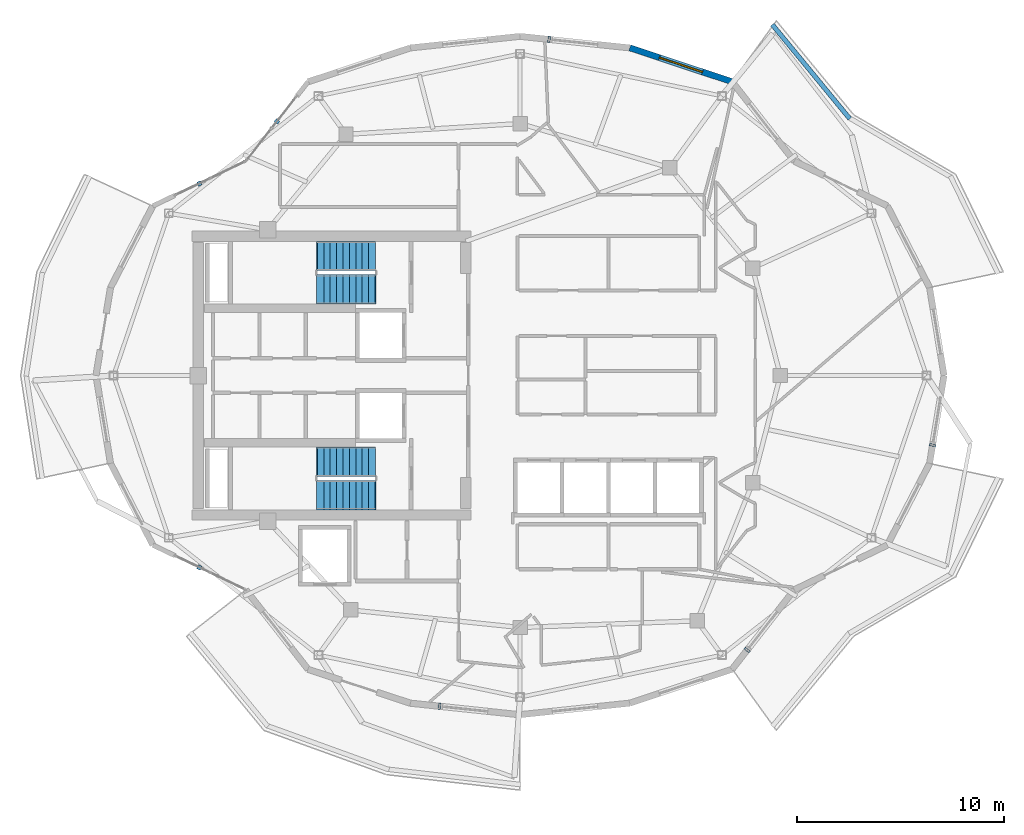
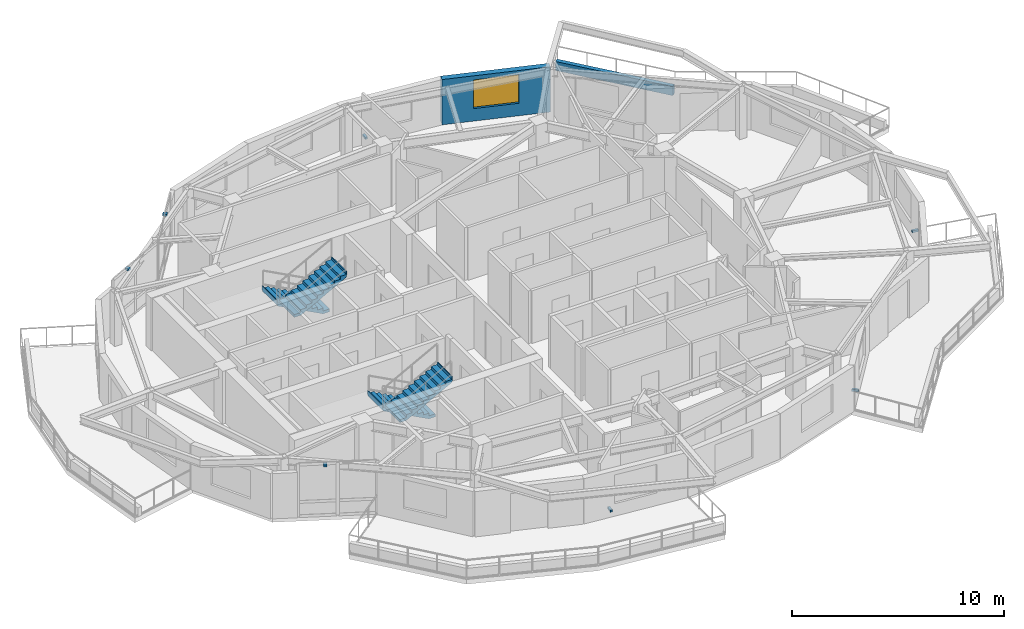
# One storey, part 12 of 14: 7 discrete accessories, 4 stair flights, 2 walls, 1 window, 1 opening, 2 elements without a shape of their own.
"""IFC4 building model written with IfcOpenShell, lengths in metres."""

from ifc_helpers import new_model, si_unit, direction, frame, frame_2d, origin, origin_2d, place, context, subcontext, project, spatial, polyline, rectangle, outline, extrude, material, layer, layer_set, type_object, element, fill, aggregate, save


model = new_model("IFC4")

# Units and contexts
model_context = context("Model", 3, precision=1e-05, world=origin(), true_north=direction((0.0, 1.0)))
body_context = subcontext(model_context, "Body", "Model", "MODEL_VIEW")
ifc_project = project(units=[si_unit("LENGTHUNIT", "METRE"), si_unit("AREAUNIT", "SQUARE_METRE"), si_unit("VOLUMEUNIT", "CUBIC_METRE"), si_unit("PLANEANGLEUNIT", "RADIAN"), si_unit("MASSUNIT", "GRAM", prefix="KILO")], contexts=[model_context])

# Site, building, storey
site_placement = place(None, origin())
site = spatial("IfcSite", under=ifc_project, at=site_placement, CompositionType="ELEMENT")
building_placement = place(site_placement, origin())
building = spatial("IfcBuilding", under=site, at=building_placement, Name="Kolvaren Gate Tower and Convention Centre", CompositionType="ELEMENT")
storey_placement = place(building_placement, frame((0.0, 0.0, 259.10009765625)))
storey = spatial("IfcBuildingStorey", under=building, at=storey_placement, Name="L70", CompositionType="ELEMENT", Elevation=259.10009765625)

# Wall
ifc_material_1 = material(Name="Piedmont Cream Honed Limestone Cladding", Category="masonry")
ifc_layer_1 = layer(ifc_material_1, 0.219970703125)
ifc_layer_set_1 = layer_set([ifc_layer_1], Name="Piedmont Cream Honed Limestone Cladding")
wall_type_1 = type_object("IfcWallType", Name="ARCH-WL-PLANTER-220", PredefinedType="PARAPET", material=ifc_layer_set_1)
wall_1_placement = place(storey_placement, frame((42.338623046875, 43.989990234375, 0.0), z_axis=(0.0, 0.0, 1.0), x_axis=(0.635450933862, -0.772141250455, 0.0)))
element("IfcWall", 1, at=wall_1_placement, inside=storey, type_object=wall_type_1, Name="Vertical-Forest Balcony Stone Planter Kerb PK-L70-1.3", PredefinedType="PARAPET", context=body_context, shape_type="SweptSolid", body=[
    extrude(rectangle(XDim=5.91015625, YDim=0.219970703125, at=frame_2d((2.955078125, 0.0))), origin(), (0.0, 0.0, 1.0), 0.52001953125),
])

# Wall, opening, window
ifc_layer_2 = layer(ifc_material_1, 0.300048828125)
ifc_layer_set_2 = layer_set([ifc_layer_2], Name="Piedmont Cream Honed Limestone Cladding")
wall_type_2 = type_object("IfcWallType", Name="ARCH-WL-STONE-300", PredefinedType="SOLIDWALL", material=ifc_layer_set_2)
wall_2_placement = place(storey_placement, frame((35.43896484375, 42.865234375, 0.0), z_axis=(0.0, 0.0, 1.0), x_axis=(0.949252744709, -0.314514271001, 0.0)))
wall_2 = element("IfcWall", 2, at=wall_2_placement, inside=storey, type_object=wall_type_2, Name="Tower L70 Honed Stone Spandrel Wall EW-04", PredefinedType="SOLIDWALL", context=body_context, shape_type="SweptSolid", body=[
    extrude(rectangle(XDim=5.21630859375, YDim=0.300048828125, at=frame_2d((2.608154296875, 0.0))), origin(), (0.0, 0.0, 1.0), 2.60498046875),
])
opening_placement = place(wall_2_placement, frame((1.508056640625, 0.0, 0.719970703125)))
opening = element("IfcOpeningElement", 3, at=opening_placement, cuts=wall_2, Name="Opening W-03", PredefinedType="OPENING", context=body_context, shape_type="SweptSolid", body=[
    extrude(rectangle(XDim=2.199951171875, YDim=1.64990234375, at=frame_2d((1.10009765625, 0.824951171875))), frame((0.0, 0.159912109375, 0.0), z_axis=(0.0, -1.0, 0.0), x_axis=(1.0, 0.0, 0.0)), (0.0, 0.0, 1.0), 0.320068359375),
])
ifc_material_2 = material(Name="Low-E Triple Insulated Glazing Unit 44 mm", Category="glass")
window_type = type_object("IfcWindowType", Name="ARCH-WN-RES-2200", PartitioningType="SINGLE_PANEL", PredefinedType="WINDOW", material=ifc_material_2)
window_placement = place(opening_placement, origin())
window = element("IfcWindow", 4, at=window_placement, inside=storey, type_object=window_type, Name="Tower L70 Punched Stone Facade Window W-04", OverallHeight=1.64990234375, OverallWidth=2.199951171875, PartitioningType="SINGLE_PANEL", PredefinedType="WINDOW", context=body_context, shape_type="SweptSolid", body=[
    extrude(rectangle(XDim=2.199951171875, YDim=1.64990234375, at=frame_2d((1.10009765625, 0.824951171875))), frame((0.0, 0.030029296875, 0.0), z_axis=(0.0, -1.0, 0.0), x_axis=(1.0, 0.0, 0.0)), (0.0, 0.0, 1.0), 0.06005859375),
])
fill(opening, window)

# Stair, stair flights
ifc_material_3 = material(Name="Concrete C50/60", Category="concrete")
stair_type = type_object("IfcStairType", Name="STR-STAIR-CORE", PredefinedType="HALF_TURN_STAIR", material=ifc_material_3)
stair_1_placement = place(storey_placement, origin())
stair_1 = element("IfcStair", 5, at=stair_1_placement, inside=storey, type_object=stair_type, Name="L70 Tower North Exit Stair ST-T1", PredefinedType="HALF_TURN_STAIR")
stair_flight_type = type_object("IfcStairFlightType", Name="STR-SFL-1420", PredefinedType="STRAIGHT", material=ifc_material_3)
stair_flight_1_placement = place(storey_placement, frame((23.10009765625, 32.7900390625, 0.0), z_axis=(0.0, 0.0, 1.0), x_axis=(-1.0, 0.0, 0.0)))
stair_flight_1 = element("IfcStairFlight", 6, at=stair_flight_1_placement, type_object=stair_flight_type, Name="ST-T1 flight 1", NumberOfRisers=10, NumberOfTreads=9, PredefinedType="STRAIGHT", RiserHeight=0.165, TreadLength=0.31, context=body_context, shape_type="SweptSolid", body=[
    extrude(outline(polyline([(-0.034912109375, 0.0), (-0.034912109375, 0.1650390625), (0.31005859375, 0.1650390625), (0.31005859375, 0.330078125), (0.6201171875, 0.330078125), (0.6201171875, 0.4951171875), (0.929931640625, 0.4951171875), (0.929931640625, 0.659912109375), (1.239990234375, 0.659912109375), (1.239990234375, 0.824951171875), (1.550048828125, 0.824951171875), (1.550048828125, 0.989990234375), (1.860107421875, 0.989990234375), (1.860107421875, 1.155029296875), (2.169921875, 1.155029296875), (2.169921875, 1.320068359375), (2.47998046875, 1.320068359375), (2.47998046875, 1.485107421875), (2.7900390625, 1.485107421875), (2.7900390625, 1.64990234375), (2.8349609375, 1.64990234375), (2.8349609375, 1.489990234375), (2.7900390625, 1.315185546875), (0.319091796875, 0.0), (-0.034912109375, 0.0)])), frame((0.0, 0.7099609375, 0.0), z_axis=(0.0, -1.0, 0.0), x_axis=(1.0, 0.0, 0.0)), (0.0, 0.0, 1.0), 1.419921875),
])
stair_flight_2_placement = place(storey_placement, frame((20.31005859375, 31.169921875, 1.64990234375), z_axis=(0.0, 0.0, 1.0), x_axis=(1.0, 0.0, 0.0)))
stair_flight_2 = element("IfcStairFlight", 7, at=stair_flight_2_placement, type_object=stair_flight_type, Name="ST-T1 flight 2", NumberOfRisers=10, NumberOfTreads=9, PredefinedType="STRAIGHT", RiserHeight=0.165, TreadLength=0.31, context=body_context, shape_type="SweptSolid", body=[
    extrude(outline(polyline([(-0.034912109375, 0.0), (-0.034912109375, 0.1650390625), (0.31005859375, 0.1650390625), (0.31005859375, 0.330078125), (0.6201171875, 0.330078125), (0.6201171875, 0.4951171875), (0.929931640625, 0.4951171875), (0.929931640625, 0.659912109375), (1.239990234375, 0.659912109375), (1.239990234375, 0.824951171875), (1.550048828125, 0.824951171875), (1.550048828125, 0.989990234375), (1.860107421875, 0.989990234375), (1.860107421875, 1.155029296875), (2.169921875, 1.155029296875), (2.169921875, 1.320068359375), (2.47998046875, 1.320068359375), (2.47998046875, 1.485107421875), (2.7900390625, 1.485107421875), (2.7900390625, 1.64990234375), (2.8349609375, 1.64990234375), (2.8349609375, 1.489990234375), (2.7900390625, 1.315185546875), (0.319091796875, 0.0), (-0.034912109375, 0.0)])), frame((0.0, 0.7099609375, 0.0), z_axis=(0.0, -1.0, 0.0), x_axis=(1.0, 0.0, 0.0)), (0.0, 0.0, 1.0), 1.419921875),
])
aggregate(stair_1, [stair_flight_1, stair_flight_2])

stair_2_placement = place(storey_placement, origin())
stair_2 = element("IfcStair", 8, at=stair_2_placement, inside=storey, type_object=stair_type, Name="L70 Tower South Exit Stair ST-T2", PredefinedType="HALF_TURN_STAIR")
stair_flight_3_placement = place(storey_placement, frame((23.10009765625, 22.830078125, 0.0), z_axis=(0.0, 0.0, 1.0), x_axis=(-1.0, 0.0, 0.0)))
stair_flight_3 = element("IfcStairFlight", 9, at=stair_flight_3_placement, type_object=stair_flight_type, Name="ST-T2 flight 1", NumberOfRisers=10, NumberOfTreads=9, PredefinedType="STRAIGHT", RiserHeight=0.165, TreadLength=0.31, context=body_context, shape_type="SweptSolid", body=[
    extrude(outline(polyline([(-0.034912109375, 0.0), (-0.034912109375, 0.1650390625), (0.31005859375, 0.1650390625), (0.31005859375, 0.330078125), (0.6201171875, 0.330078125), (0.6201171875, 0.4951171875), (0.929931640625, 0.4951171875), (0.929931640625, 0.659912109375), (1.239990234375, 0.659912109375), (1.239990234375, 0.824951171875), (1.550048828125, 0.824951171875), (1.550048828125, 0.989990234375), (1.860107421875, 0.989990234375), (1.860107421875, 1.155029296875), (2.169921875, 1.155029296875), (2.169921875, 1.320068359375), (2.47998046875, 1.320068359375), (2.47998046875, 1.485107421875), (2.7900390625, 1.485107421875), (2.7900390625, 1.64990234375), (2.8349609375, 1.64990234375), (2.8349609375, 1.489990234375), (2.7900390625, 1.315185546875), (0.319091796875, 0.0), (-0.034912109375, 0.0)])), frame((0.0, 0.7099609375, 0.0), z_axis=(0.0, -1.0, 0.0), x_axis=(1.0, 0.0, 0.0)), (0.0, 0.0, 1.0), 1.419921875),
])
stair_flight_4_placement = place(storey_placement, frame((20.31005859375, 21.2099609375, 1.64990234375), z_axis=(0.0, 0.0, 1.0), x_axis=(1.0, 0.0, 0.0)))
stair_flight_4 = element("IfcStairFlight", 10, at=stair_flight_4_placement, type_object=stair_flight_type, Name="ST-T2 flight 2", NumberOfRisers=10, NumberOfTreads=9, PredefinedType="STRAIGHT", RiserHeight=0.165, TreadLength=0.31, context=body_context, shape_type="SweptSolid", body=[
    extrude(outline(polyline([(-0.034912109375, 0.0), (-0.034912109375, 0.1650390625), (0.31005859375, 0.1650390625), (0.31005859375, 0.330078125), (0.6201171875, 0.330078125), (0.6201171875, 0.4951171875), (0.929931640625, 0.4951171875), (0.929931640625, 0.659912109375), (1.239990234375, 0.659912109375), (1.239990234375, 0.824951171875), (1.550048828125, 0.824951171875), (1.550048828125, 0.989990234375), (1.860107421875, 0.989990234375), (1.860107421875, 1.155029296875), (2.169921875, 1.155029296875), (2.169921875, 1.320068359375), (2.47998046875, 1.320068359375), (2.47998046875, 1.485107421875), (2.7900390625, 1.485107421875), (2.7900390625, 1.64990234375), (2.8349609375, 1.64990234375), (2.8349609375, 1.489990234375), (2.7900390625, 1.315185546875), (0.319091796875, 0.0), (-0.034912109375, 0.0)])), frame((0.0, 0.7099609375, 0.0), z_axis=(0.0, -1.0, 0.0), x_axis=(1.0, 0.0, 0.0)), (0.0, 0.0, 1.0), 1.419921875),
])
aggregate(stair_2, [stair_flight_3, stair_flight_4])

# Discrete accessories
ifc_material_4 = material(Name="Anodized Architectural Aluminium Alloy 6063-T6", Category="aluminium")
discrete_accessory_type = type_object("IfcDiscreteAccessoryType", Name="ARCH-ACC-BRACKET-120", PredefinedType="BRACKET", material=ifc_material_4)
discrete_accessory_placement = place(storey_placement, frame((31.529296875, 43.277099609375, 0.289794921875), z_axis=(0.0, 0.0, 1.0), x_axis=(0.994498701491, -0.104748903254, 0.0)))
element("IfcDiscreteAccessory", 11, at=discrete_accessory_placement, inside=storey, type_object=discrete_accessory_type, Name="Ceramic Fin Wall Anchor Bracket FBK-L70-05", PredefinedType="BRACKET", context=body_context, shape_type="SweptSolid", body=[
    extrude(rectangle(XDim=0.1201171875, YDim=0.320068359375, at=origin_2d()), origin(), (0.0, 0.0, 1.0), 0.1201171875),
])
for number, where, z_axis, x_axis, name in (
    (12, (18.352783203125, 39.2998046875, 2.849853515625), (0.0, 0.0, 1.0), (0.616429996253, 0.787409715281, 0.0), "Solar Screen Spandrel Anchor Bracket BK-L70-08"),
    (13, (14.59521484375, 36.2939453125, 2.849853515625), (0.0, 0.0, 1.0), (0.901356122373, 0.433078677218, 0.0), "Solar Screen Spandrel Anchor Bracket BK-L70-09"),
    (14, (14.59521484375, 17.7060546875, 2.849853515625), (0.0, 0.0, 1.0), (0.901356122373, -0.433078677218, 0.0), "Solar Screen Spandrel Anchor Bracket BK-L70-14"),
):
    element("IfcDiscreteAccessory", number, at=place(storey_placement, frame(where, z_axis=z_axis, x_axis=x_axis)), inside=storey, type_object=discrete_accessory_type, Name=name, PredefinedType="BRACKET", context=body_context, shape_type="SweptSolid", body=[
        extrude(rectangle(XDim=0.179931640625, YDim=0.219970703125, at=origin_2d()), origin(), (0.0, 0.0, 1.0), 0.1201171875),
    ])
for number, where, z_axis, x_axis, name in (
    (15, (26.21533203125, 10.98681640625, 0.289794921875), (0.0, 0.0, 1.0), (0.994498701491, -0.104748903254, 0.0), "Ceramic Fin Wall Anchor Bracket FBK-L70-17"),
    (16, (41.12060546875, 13.707763671875, 0.289794921875), (0.0, 0.0, 1.0), (0.616429996253, 0.787409715281, 0.0), "Ceramic Fin Wall Anchor Bracket FBK-L70-20"),
    (17, (50.101806640625, 23.631103515625, 0.289794921875), (0.0, 0.0, 1.0), (0.162385734509, 0.986727355062, 0.0), "Ceramic Fin Wall Anchor Bracket FBK-L70-23"),
):
    element("IfcDiscreteAccessory", number, at=place(storey_placement, frame(where, z_axis=z_axis, x_axis=x_axis)), inside=storey, type_object=discrete_accessory_type, Name=name, PredefinedType="BRACKET", context=body_context, shape_type="SweptSolid", body=[
        extrude(rectangle(XDim=0.1201171875, YDim=0.320068359375, at=origin_2d()), origin(), (0.0, 0.0, 1.0), 0.1201171875),
    ])

save(model, "model.ifc")
